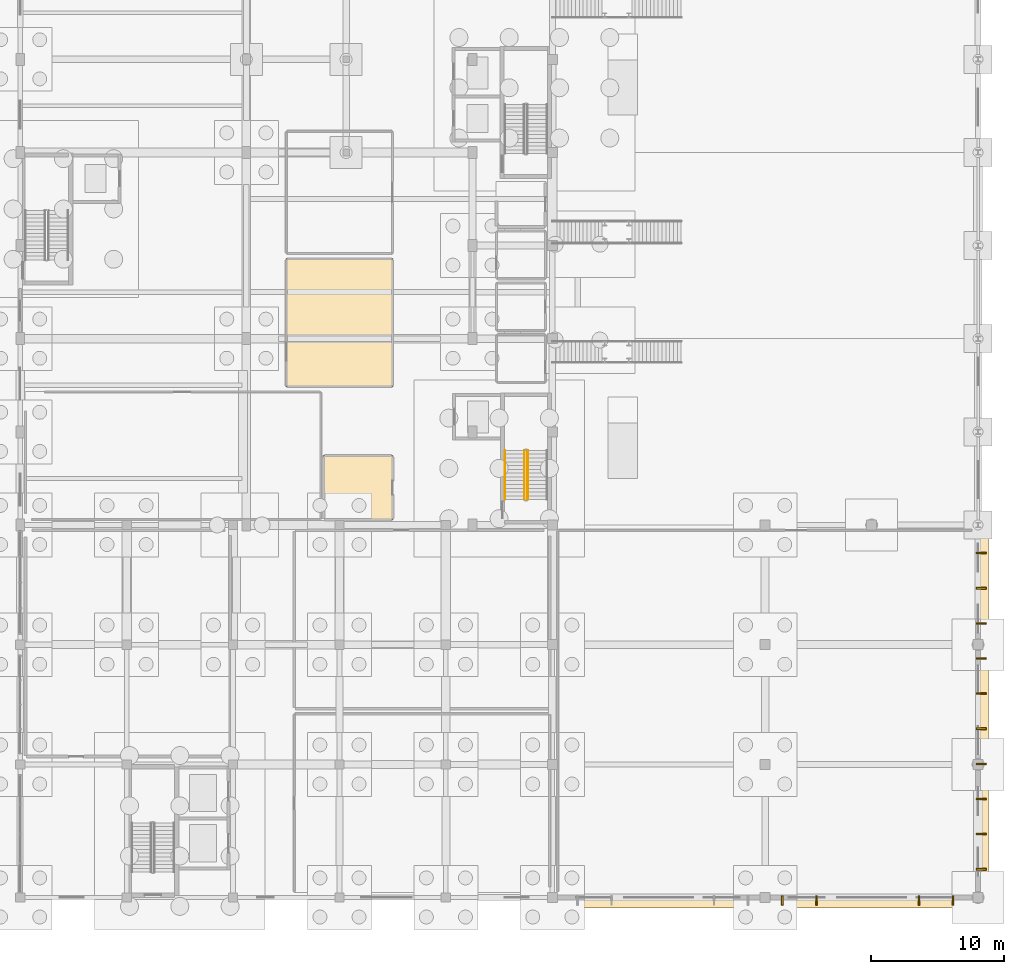
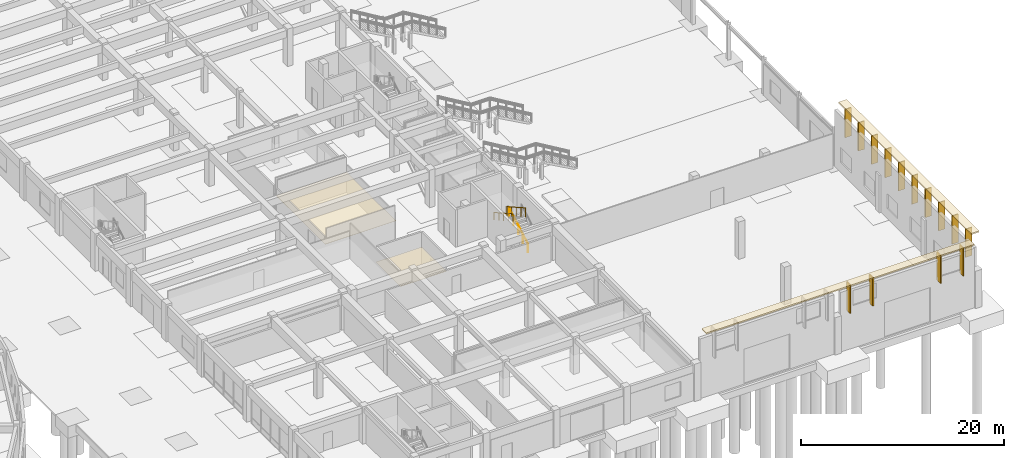
# One storey, part 79 of 84: 18 coverings, 3 railings.
"""IFC4 building model written with IfcOpenShell, lengths in metres."""

from ifc_helpers import new_model, si_unit, direction, frame, origin, origin_2d, place, context, subcontext, project, spatial, polyline, rectangle, circle, outline, extrude, material, layer, layer_set, type_object, element, save


model = new_model("IFC4")

# Units and contexts
model_context = context("Model", 3, precision=1e-05, world=origin(), true_north=direction((0.0, 1.0)))
body_context = subcontext(model_context, "Body", "Model", "MODEL_VIEW")
ifc_project = project(units=[si_unit("LENGTHUNIT", "METRE"), si_unit("AREAUNIT", "SQUARE_METRE"), si_unit("VOLUMEUNIT", "CUBIC_METRE"), si_unit("PLANEANGLEUNIT", "RADIAN"), si_unit("MASSUNIT", "GRAM", prefix="KILO")], contexts=[model_context])

# Site, building, storey
site_placement = place(None, origin())
site = spatial("IfcSite", under=ifc_project, at=site_placement, CompositionType="ELEMENT")
building_placement = place(site_placement, origin())
building = spatial("IfcBuilding", under=site, at=building_placement, Name="Larkveld Mobility Hub", CompositionType="ELEMENT")
storey_placement = place(building_placement, origin())
storey = spatial("IfcBuildingStorey", under=building, at=storey_placement, Name="L00", CompositionType="ELEMENT", Elevation=0.0)

# Coverings
ifc_material_1 = material(Name="Precast concrete C50/60", Category="concrete")
ifc_layer_1 = layer(ifc_material_1, 0.14990234375, Name="Precast concrete C50/60", Category="concrete")
ifc_layer_set_1 = layer_set([ifc_layer_1], Name="Precast concrete C50/60")
covering_type_1 = type_object("IfcCoveringType", Name="COV-QSL-H01", PredefinedType="CLADDING", material=ifc_layer_set_1)
covering_1_placement = place(storey_placement, frame((168.0, -0.340087890625, 8.0), z_axis=(0.0, 0.0, 1.0), x_axis=(1.0, 0.0, 0.0)))
element("IfcCovering", 1, at=covering_1_placement, inside=storey, type_object=covering_type_1, Name="Precast Quebra-Sol Horizontal Sunbreaker QSH-186", PredefinedType="CLADDING", context=body_context, shape_type="SweptSolid", body=[
    extrude(rectangle(XDim=30.5, YDim=0.919921875, at=origin_2d()), origin(), (0.0, 0.0, 1.0), 0.14990234375),
])
covering_2_placement = place(storey_placement, frame((184.340087890625, 14.0, 8.0), z_axis=(0.0, 0.0, 1.0), x_axis=(0.0, 1.0, 0.0)))
element("IfcCovering", 2, at=covering_2_placement, inside=storey, type_object=covering_type_1, Name="Precast Quebra-Sol Horizontal Sunbreaker QSH-195", PredefinedType="CLADDING", context=body_context, shape_type="SweptSolid", body=[
    extrude(rectangle(XDim=26.10009765625, YDim=0.919921875, at=origin_2d()), origin(), (0.0, 0.0, 1.0), 0.14990234375),
])
ifc_layer_2 = layer(ifc_material_1, 0.1201171875, Name="Precast concrete C50/60", Category="concrete")
ifc_layer_set_2 = layer_set([ifc_layer_2], Name="Precast concrete C50/60")
covering_type_2 = type_object("IfcCoveringType", Name="COV-QSL-V01", PredefinedType="CLADDING", material=ifc_layer_set_2)
for number, where, z_axis, x_axis, name in (
    (3, (169.282958984375, -0.239990234375, 4.58056640625), (0.0, 0.0, 1.0), (1.0, 0.0, 0.0), "Precast Quebra-Sol Vertical Fin QSV-191"),
    (4, (171.85009765625, -0.239990234375, 4.58056640625), (0.0, 0.0, 1.0), (1.0, 0.0, 0.0), "Precast Quebra-Sol Vertical Fin QSV-192"),
    (5, (179.550048828125, -0.239990234375, 4.58056640625), (0.0, 0.0, 1.0), (1.0, 0.0, 0.0), "Precast Quebra-Sol Vertical Fin QSV-193"),
    (6, (182.116943359375, -0.239990234375, 4.58056640625), (0.0, 0.0, 1.0), (1.0, 0.0, 0.0), "Precast Quebra-Sol Vertical Fin QSV-194"),
    (7, (184.239990234375, 2.1201171875, 4.58056640625), (0.0, 0.0, 1.0), (0.0, 1.0, 0.0), "Precast Quebra-Sol Vertical Fin QSV-196"),
    (8, (184.239990234375, 4.760009765625, 4.58056640625), (0.0, 0.0, 1.0), (0.0, 1.0, 0.0), "Precast Quebra-Sol Vertical Fin QSV-197"),
    (9, (184.239990234375, 7.39990234375, 4.58056640625), (0.0, 0.0, 1.0), (0.0, 1.0, 0.0), "Precast Quebra-Sol Vertical Fin QSV-198"),
    (10, (184.239990234375, 10.0400390625, 4.58056640625), (0.0, 0.0, 1.0), (0.0, 1.0, 0.0), "Precast Quebra-Sol Vertical Fin QSV-199"),
    (11, (184.239990234375, 12.679931640625, 4.58056640625), (0.0, 0.0, 1.0), (0.0, 1.0, 0.0), "Precast Quebra-Sol Vertical Fin QSV-200"),
    (12, (184.239990234375, 15.320068359375, 4.58056640625), (0.0, 0.0, 1.0), (0.0, 1.0, 0.0), "Precast Quebra-Sol Vertical Fin QSV-201"),
    (13, (184.239990234375, 17.9599609375, 4.58056640625), (0.0, 0.0, 1.0), (0.0, 1.0, 0.0), "Precast Quebra-Sol Vertical Fin QSV-202"),
    (14, (184.239990234375, 20.60009765625, 4.58056640625), (0.0, 0.0, 1.0), (0.0, 1.0, 0.0), "Precast Quebra-Sol Vertical Fin QSV-203"),
    (15, (184.239990234375, 23.239990234375, 4.58056640625), (0.0, 0.0, 1.0), (0.0, 1.0, 0.0), "Precast Quebra-Sol Vertical Fin QSV-204"),
    (16, (184.239990234375, 25.8798828125, 4.58056640625), (0.0, 0.0, 1.0), (0.0, 1.0, 0.0), "Precast Quebra-Sol Vertical Fin QSV-205"),
):
    element("IfcCovering", number, at=place(storey_placement, frame(where, z_axis=z_axis, x_axis=x_axis)), inside=storey, type_object=covering_type_2, Name=name, PredefinedType="CLADDING", context=body_context, shape_type="SweptSolid", body=[
        extrude(rectangle(XDim=0.1201171875, YDim=0.719970703125, at=origin_2d()), origin(), (0.0, 0.0, 1.0), 3.405029296875),
    ])
ifc_material_2 = material(Name="Moisture-resistant gypsum board ceiling", Category="masonry")
ifc_layer_3 = layer(ifc_material_2, 0.02490234375, Name="Moisture-resistant gypsum board ceiling", Category="masonry")
ifc_layer_set_3 = layer_set([ifc_layer_3], Name="Moisture-resistant gypsum board ceiling")
covering_type_3 = type_object("IfcCoveringType", Name="CV-CLG-025", PredefinedType="CEILING", material=ifc_layer_set_3)
covering_3_placement = place(storey_placement, frame((0.0, 0.0, 2.324951171875)))
element("IfcCovering", 17, at=covering_3_placement, inside=storey, type_object=covering_type_3, Name="Fire Command Centre Acoustic Ceiling 005", PredefinedType="CEILING", context=body_context, shape_type="SweptSolid", body=[
    extrude(outline(polyline([(134.820068359375, 28.3701171875), (134.81689453125, 28.3701171875), (134.81396484375, 28.37109375), (134.81103515625, 28.37109375), (134.80908203125, 28.3720703125), (134.805908203125, 28.3740234375), (134.802978515625, 28.375), (134.801025390625, 28.376953125), (134.799072265625, 28.37890625), (134.779052734375, 28.39892578125), (134.777099609375, 28.40087890625), (134.77490234375, 28.403076171875), (134.77392578125, 28.406005859375), (134.77197265625, 28.408935546875), (134.77099609375, 28.410888671875), (134.77099609375, 28.4140625), (134.77001953125, 28.4169921875), (134.77001953125, 28.419921875), (134.77587890625, 33.194091796875), (134.77587890625, 33.197021484375), (134.77587890625, 33.199951171875), (134.777099609375, 33.202880859375), (134.778076171875, 33.2060546875), (134.779052734375, 33.2080078125), (134.781005859375, 33.2109375), (134.782958984375, 33.212890625), (134.784912109375, 33.215087890625), (134.787109375, 33.217041015625), (134.7890625, 33.218994140625), (134.7919921875, 33.220947265625), (134.7939453125, 33.221923828125), (134.797119140625, 33.222900390625), (134.800048828125, 33.22412109375), (134.802978515625, 33.22412109375), (134.805908203125, 33.22412109375), (139.993896484375, 33.22412109375), (139.9970703125, 33.22412109375), (140.0, 33.22412109375), (140.0029296875, 33.222900390625), (140.006103515625, 33.221923828125), (140.008056640625, 33.220947265625), (140.010986328125, 33.218994140625), (140.012939453125, 33.217041015625), (140.014892578125, 33.215087890625), (140.01708984375, 33.212890625), (140.01904296875, 33.2109375), (140.02099609375, 33.2080078125), (140.02197265625, 33.2060546875), (140.02294921875, 33.202880859375), (140.02392578125, 33.199951171875), (140.02392578125, 33.197021484375), (140.02392578125, 33.194091796875), (140.02392578125, 28.406005859375), (140.02392578125, 28.403076171875), (140.02392578125, 28.39990234375), (140.02294921875, 28.39697265625), (140.02197265625, 28.39404296875), (140.02099609375, 28.39208984375), (140.01904296875, 28.388916015625), (140.01708984375, 28.386962890625), (140.014892578125, 28.385009765625), (140.012939453125, 28.383056640625), (140.010986328125, 28.381103515625), (140.008056640625, 28.37890625), (140.006103515625, 28.3779296875), (140.0029296875, 28.376953125), (140.0, 28.3759765625), (139.9970703125, 28.3759765625), (139.993896484375, 28.3759765625), (134.820068359375, 28.3701171875)])), origin(), (0.0, 0.0, 1.0), 0.025146484375),
])
covering_4_placement = place(storey_placement, frame((0.0, 0.0, 2.324951171875)))
element("IfcCovering", 18, at=covering_4_placement, inside=storey, type_object=covering_type_3, Name="Commuter Travel Retail Shop Acoustic Ceiling 007", PredefinedType="CEILING", context=body_context, shape_type="SweptSolid", body=[
    extrude(outline(polyline([(132.02001953125, 38.3701171875), (132.01708984375, 38.3701171875), (132.013916015625, 38.37109375), (132.010986328125, 38.37109375), (132.009033203125, 38.3720703125), (132.006103515625, 38.3740234375), (132.0029296875, 38.375), (132.0009765625, 38.376953125), (131.9990234375, 38.37890625), (131.97900390625, 38.39892578125), (131.97705078125, 38.40087890625), (131.97509765625, 38.403076171875), (131.97412109375, 38.406005859375), (131.971923828125, 38.408935546875), (131.970947265625, 38.410888671875), (131.970947265625, 38.4140625), (131.969970703125, 38.4169921875), (131.969970703125, 38.419921875), (131.97509765625, 47.992919921875), (131.97509765625, 47.99609375), (131.97509765625, 47.9990234375), (131.97607421875, 48.0009765625), (131.97705078125, 48.00390625), (131.97802734375, 48.007080078125), (131.97998046875, 48.009033203125), (131.98095703125, 48.011962890625), (131.98291015625, 48.013916015625), (131.986083984375, 48.01611328125), (131.988037109375, 48.01806640625), (131.989990234375, 48.01904296875), (131.992919921875, 48.02001953125), (131.99609375, 48.02099609375), (131.9990234375, 48.02197265625), (132.001953125, 48.02294921875), (132.0048828125, 48.02294921875), (139.992919921875, 48.02490234375), (139.99609375, 48.02490234375), (139.9990234375, 48.02490234375), (140.0009765625, 48.02392578125), (140.00390625, 48.02294921875), (140.007080078125, 48.02197265625), (140.009033203125, 48.02001953125), (140.011962890625, 48.01904296875), (140.013916015625, 48.01708984375), (140.01611328125, 48.013916015625), (140.01806640625, 48.011962890625), (140.01904296875, 48.010009765625), (140.02001953125, 48.007080078125), (140.02099609375, 48.00390625), (140.02197265625, 48.0009765625), (140.02294921875, 47.998046875), (140.02294921875, 47.9951171875), (140.02490234375, 38.406982421875), (140.02490234375, 38.404052734375), (140.02490234375, 38.40087890625), (140.02392578125, 38.39892578125), (140.02294921875, 38.39599609375), (140.02197265625, 38.39306640625), (140.02001953125, 38.39111328125), (140.01904296875, 38.387939453125), (140.01708984375, 38.385986328125), (140.014892578125, 38.384033203125), (140.011962890625, 38.382080078125), (140.010009765625, 38.381103515625), (140.007080078125, 38.3798828125), (140.00390625, 38.37890625), (140.0009765625, 38.3779296875), (139.998046875, 38.376953125), (139.9951171875, 38.376953125), (132.02001953125, 38.3701171875)])), origin(), (0.0, 0.0, 1.0), 0.025146484375),
])

# Railings
ifc_material_3 = material(Name="Galvanized Steel S355JR balustrade", Category="steel")
railing_type_1 = type_object("IfcRailingType", Name="RL-GRD-1100", PredefinedType="GUARDRAIL", material=ifc_material_3)
railing_1_placement = place(storey_placement, frame((150.14990234375, 29.89990234375, 0.16064453125)))
element("IfcRailing", 19, at=railing_1_placement, inside=storey, type_object=railing_type_1, Name="L00 ST1 stair guard 1", PredefinedType="GUARDRAIL", context=body_context, shape_type="SweptSolid", body=[
    extrude(circle(Radius=0.02392578125, at=origin_2d()), frame((0.0, 0.0, 1.076171875), z_axis=(0.0, 0.871047735535, 0.491198373795), x_axis=(-1.0, 0.0, 0.0)), (0.0, 0.0, 1.0), 4.253662109375),
    extrude(circle(Radius=0.02099609375, at=origin_2d()), origin(), (0.0, 0.0, 1.0), 1.052001953125),
    extrude(circle(Radius=0.02099609375, at=origin_2d()), frame((0.0, 0.92626953125, 0.5224609375)), (0.0, 0.0, 1.0), 1.052001953125),
    extrude(circle(Radius=0.02099609375, at=origin_2d()), frame((0.0, 1.8525390625, 1.044677734375)), (0.0, 0.0, 1.0), 1.052001953125),
    extrude(circle(Radius=0.02099609375, at=origin_2d()), frame((0.0, 2.77880859375, 1.56689453125)), (0.0, 0.0, 1.0), 1.052001953125),
    extrude(circle(Radius=0.02099609375, at=origin_2d()), frame((0.0, 3.705078125, 2.08935546875)), (0.0, 0.0, 1.0), 1.052001953125),
])
railing_2_placement = place(storey_placement, frame((149.89990234375, 33.60498046875, 2.41064453125)))
element("IfcRailing", 20, at=railing_2_placement, inside=storey, type_object=railing_type_1, Name="L00 ST1 stair guard 3", PredefinedType="GUARDRAIL", context=body_context, shape_type="SweptSolid", body=[
    extrude(circle(Radius=0.02392578125, at=origin_2d()), frame((0.0, 0.0, 1.076171875), z_axis=(0.0, -0.871047735535, 0.491198373795), x_axis=(1.0, 0.0, 0.0)), (0.0, 0.0, 1.0), 4.253662109375),
    extrude(circle(Radius=0.02099609375, at=origin_2d()), origin(), (0.0, 0.0, 1.0), 1.052001953125),
    extrude(circle(Radius=0.02099609375, at=origin_2d()), frame((0.0, -0.92626953125, 0.5224609375)), (0.0, 0.0, 1.0), 1.052001953125),
    extrude(circle(Radius=0.02099609375, at=origin_2d()), frame((0.0, -1.8525390625, 1.044677734375)), (0.0, 0.0, 1.0), 1.052001953125),
    extrude(circle(Radius=0.02099609375, at=origin_2d()), frame((0.0, -2.77880859375, 1.56689453125)), (0.0, 0.0, 1.0), 1.052001953125),
    extrude(circle(Radius=0.02099609375, at=origin_2d()), frame((0.0, -3.705078125, 2.08935546875)), (0.0, 0.0, 1.0), 1.052001953125),
])
ifc_material_4 = material(Name="Brushed Steel S355JR tubular handrail", Category="steel")
railing_type_2 = type_object("IfcRailingType", Name="RL-HND-0900", PredefinedType="HANDRAIL", material=ifc_material_4)
railing_3_placement = place(storey_placement, frame((148.449951171875, 33.60498046875, 2.41064453125)))
element("IfcRailing", 21, at=railing_3_placement, inside=storey, type_object=railing_type_2, Name="L00 ST1 stair handrail 2", PredefinedType="HANDRAIL", context=body_context, shape_type="SweptSolid", body=[
    extrude(circle(Radius=0.02392578125, at=origin_2d()), frame((0.0, 0.0, 0.8759765625), z_axis=(0.0, -0.871047735535, 0.491198373795), x_axis=(1.0, 0.0, 0.0)), (0.0, 0.0, 1.0), 4.253662109375),
    extrude(circle(Radius=0.02099609375, at=origin_2d()), origin(), (0.0, 0.0, 1.0), 0.851806640625),
    extrude(circle(Radius=0.02099609375, at=origin_2d()), frame((0.0, -0.92626953125, 0.5224609375)), (0.0, 0.0, 1.0), 0.851806640625),
    extrude(circle(Radius=0.02099609375, at=origin_2d()), frame((0.0, -1.8525390625, 1.044677734375)), (0.0, 0.0, 1.0), 0.851806640625),
    extrude(circle(Radius=0.02099609375, at=origin_2d()), frame((0.0, -2.77880859375, 1.56689453125)), (0.0, 0.0, 1.0), 0.851806640625),
    extrude(circle(Radius=0.02099609375, at=origin_2d()), frame((0.0, -3.705078125, 2.08935546875)), (0.0, 0.0, 1.0), 0.851806640625),
])

save(model, "model.ifc")
